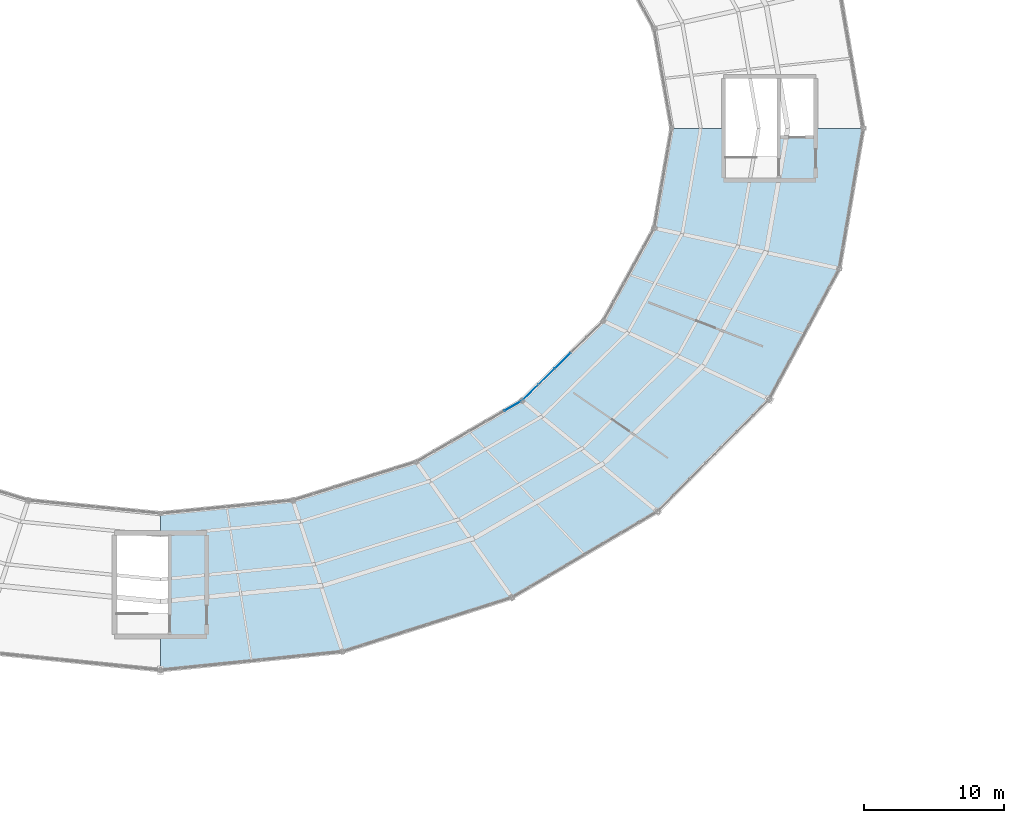
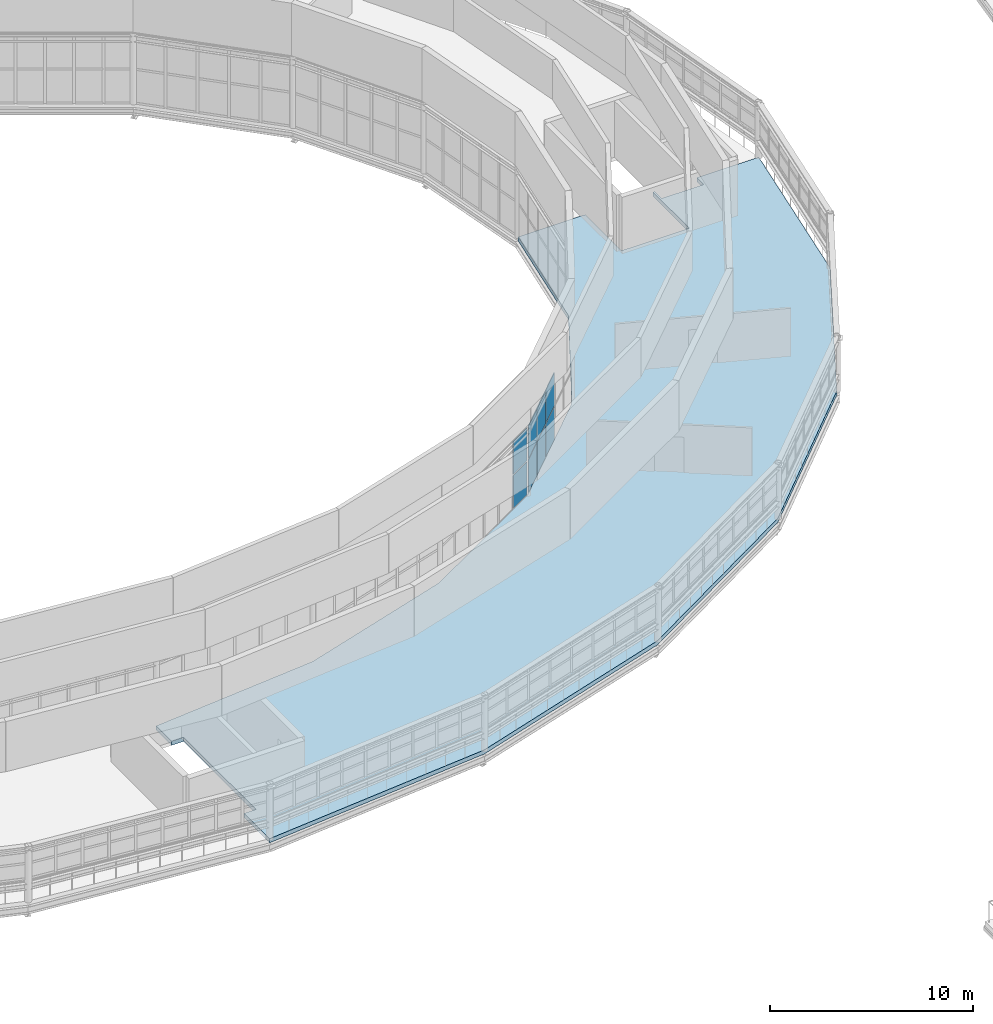
# One storey, part 82 of 123: 8 plates, 1 slab, 2 elements without a shape of their own.
"""IFC4 building model written with IfcOpenShell, lengths in metres."""

from ifc_helpers import new_model, si_unit, direction, frame, origin, origin_2d, place, context, subcontext, project, spatial, polyline, rectangle, outline, extrude, material, layer, layer_set, type_object, element, aggregate, save


model = new_model("IFC4")

# Units and contexts
model_context = context("Model", 3, precision=1e-05, world=origin(), true_north=direction((0.0, 1.0)))
body_context = subcontext(model_context, "Body", "Model", "MODEL_VIEW")
ifc_project = project(units=[si_unit("LENGTHUNIT", "METRE"), si_unit("AREAUNIT", "SQUARE_METRE"), si_unit("VOLUMEUNIT", "CUBIC_METRE"), si_unit("PLANEANGLEUNIT", "RADIAN"), si_unit("MASSUNIT", "GRAM", prefix="KILO")], contexts=[model_context])

# Site, building, storey
site_placement = place(None, origin())
site = spatial("IfcSite", under=ifc_project, at=site_placement, CompositionType="ELEMENT")
building_placement = place(site_placement, origin())
building = spatial("IfcBuilding", under=site, at=building_placement, Name="Kildeholm Park Wholesale Market", CompositionType="ELEMENT")
storey_placement = place(building_placement, frame((0.0, 0.0, 9.60009765625)))
storey = spatial("IfcBuildingStorey", under=building, at=storey_placement, Name="L02", CompositionType="ELEMENT", Elevation=9.60009765625)

# Curtain wall, plates
ifc_material_1 = material(Name="Anodised aluminium and low-E double-glazed glass", Category="aluminium")
curtain_wall_type = type_object("IfcCurtainWallType", Name="Clerestory daylight stick curtain wall CW-02", PredefinedType="NOTDEFINED", material=ifc_material_1)
curtain_wall_1_placement = place(storey_placement, origin())
curtain_wall_1 = element("IfcCurtainWall", 1, at=curtain_wall_1_placement, inside=storey, type_object=curtain_wall_type, Name="Curtain wall CW-V1-IN2-20 CW-0103", PredefinedType="NOTDEFINED")
ifc_material_2 = material(Name="Triple-glazed solar-control glass", Category="glass")
ifc_layer_1 = layer(ifc_material_2, 0.035888671875)
ifc_layer_set_1 = layer_set([ifc_layer_1], Name="Triple-glazed solar-control glass")
plate_type = type_object("IfcPlateType", Name="Curtain-wall panel CWP-2 36 mm", PredefinedType="CURTAIN_PANEL", material=ifc_layer_set_1)
plate_1_placement = place(storey_placement, frame((124.140869140625, 69.66259765625, 0.06005859375), z_axis=(0.0, 0.0, 1.0), x_axis=(0.865742656621, 0.500489412982, 0.0)))
plate_1 = element("IfcPlate", 2, at=plate_1_placement, type_object=plate_type, Name="CW-02 panel 6.1 PLT-1556", PredefinedType="CURTAIN_PANEL", context=body_context, shape_type="SweptSolid", body=[
    extrude(rectangle(XDim=1.351806640625, YDim=0.035888671875, at=origin_2d()), origin(), (0.0, 0.0, 1.0), 1.985107421875),
])
plate_2_placement = place(storey_placement, frame((124.140869140625, 69.66259765625, 2.10498046875), z_axis=(0.0, 0.0, 1.0), x_axis=(0.865742656621, 0.500489412982, 0.0)))
plate_2 = element("IfcPlate", 3, at=plate_2_placement, type_object=plate_type, Name="CW-02 panel 6.2 PLT-1557", PredefinedType="CURTAIN_PANEL", context=body_context, shape_type="SweptSolid", body=[
    extrude(rectangle(XDim=1.351806640625, YDim=0.035888671875, at=origin_2d()), origin(), (0.0, 0.0, 1.0), 1.985107421875),
])
aggregate(curtain_wall_1, [plate_1, plate_2])

curtain_wall_2_placement = place(storey_placement, origin())
curtain_wall_2 = element("IfcCurtainWall", 4, at=curtain_wall_2_placement, inside=storey, type_object=curtain_wall_type, Name="Curtain wall CW-V1-IN2-21 CW-0108", PredefinedType="NOTDEFINED")
plate_3_placement = place(storey_placement, frame((125.427978515625, 70.654296875, 0.06005859375), z_axis=(0.0, 0.0, 1.0), x_axis=(0.713537995789, 0.700616534607, 0.0)))
plate_3 = element("IfcPlate", 5, at=plate_3_placement, type_object=plate_type, Name="CW-02 panel 1.1 PLT-1610", PredefinedType="CURTAIN_PANEL", context=body_context, shape_type="SweptSolid", body=[
    extrude(rectangle(XDim=1.519775390625, YDim=0.035888671875, at=origin_2d()), origin(), (0.0, 0.0, 1.0), 1.985107421875),
])
plate_4_placement = place(storey_placement, frame((125.427978515625, 70.654296875, 2.10498046875), z_axis=(0.0, 0.0, 1.0), x_axis=(0.713537995789, 0.700616534607, 0.0)))
plate_4 = element("IfcPlate", 6, at=plate_4_placement, type_object=plate_type, Name="CW-02 panel 1.2 PLT-1611", PredefinedType="CURTAIN_PANEL", context=body_context, shape_type="SweptSolid", body=[
    extrude(rectangle(XDim=1.519775390625, YDim=0.035888671875, at=origin_2d()), origin(), (0.0, 0.0, 1.0), 1.985107421875),
])
plate_5_placement = place(storey_placement, frame((126.56591796875, 71.771728515625, 0.06005859375), z_axis=(0.0, 0.0, 1.0), x_axis=(0.713537995789, 0.700616534607, 0.0)))
plate_5 = element("IfcPlate", 7, at=plate_5_placement, type_object=plate_type, Name="CW-02 panel 2.1 PLT-1612", PredefinedType="CURTAIN_PANEL", context=body_context, shape_type="SweptSolid", body=[
    extrude(rectangle(XDim=1.5498046875, YDim=0.035888671875, at=origin_2d()), origin(), (0.0, 0.0, 1.0), 1.985107421875),
])
plate_6_placement = place(storey_placement, frame((126.56591796875, 71.771728515625, 2.10498046875), z_axis=(0.0, 0.0, 1.0), x_axis=(0.713537995789, 0.700616534607, 0.0)))
plate_6 = element("IfcPlate", 8, at=plate_6_placement, type_object=plate_type, Name="CW-02 panel 2.2 PLT-1613", PredefinedType="CURTAIN_PANEL", context=body_context, shape_type="SweptSolid", body=[
    extrude(rectangle(XDim=1.5498046875, YDim=0.035888671875, at=origin_2d()), origin(), (0.0, 0.0, 1.0), 1.985107421875),
])
plate_7_placement = place(storey_placement, frame((127.714599609375, 72.8994140625, 0.06005859375), z_axis=(0.0, 0.0, 1.0), x_axis=(0.713537995789, 0.700616534607, 0.0)))
plate_7 = element("IfcPlate", 9, at=plate_7_placement, type_object=plate_type, Name="CW-02 panel 3.1 PLT-1614", PredefinedType="CURTAIN_PANEL", context=body_context, shape_type="SweptSolid", body=[
    extrude(rectangle(XDim=1.5498046875, YDim=0.035888671875, at=origin_2d()), origin(), (0.0, 0.0, 1.0), 1.985107421875),
])
plate_8_placement = place(storey_placement, frame((127.714599609375, 72.8994140625, 2.10498046875), z_axis=(0.0, 0.0, 1.0), x_axis=(0.713537995789, 0.700616534607, 0.0)))
plate_8 = element("IfcPlate", 10, at=plate_8_placement, type_object=plate_type, Name="CW-02 panel 3.2 PLT-1615", PredefinedType="CURTAIN_PANEL", context=body_context, shape_type="SweptSolid", body=[
    extrude(rectangle(XDim=1.5498046875, YDim=0.035888671875, at=origin_2d()), origin(), (0.0, 0.0, 1.0), 1.985107421875),
])
aggregate(curtain_wall_2, [plate_3, plate_4, plate_5, plate_6, plate_7, plate_8])

# Slab
ifc_material_3 = material(Name="Concrete C35/45", Category="concrete")
ifc_layer_2 = layer(ifc_material_3, 0.25)
ifc_layer_set_2 = layer_set([ifc_layer_2], Name="Concrete C35/45")
slab_type = type_object("IfcSlabType", Name="Slab S-FL1 250 mm", PredefinedType="FLOOR", material=ifc_layer_set_2)
slab_placement = place(storey_placement, frame((0.0, 0.0, -0.25)))
element("IfcSlab", 11, at=slab_placement, inside=storey, type_object=slab_type, Name="Produce hall L02 inner ring slab quadrant 4 SLB-0012", PredefinedType="FLOOR", context=body_context, shape_type="SweptSolid", body=[
    extrude(outline(polyline([(149.199951171875, 89.5), (147.489013671875, 79.48388671875), (142.47412109375, 70.14990234375), (134.4970703125, 62.135009765625), (124.10009765625, 55.985107421875), (111.992919921875, 52.118896484375), (99.0, 50.800048828125), (99.0, 53.320068359375), (99.679931640625, 53.320068359375), (99.679931640625, 60.47998046875), (99.0, 60.47998046875), (99.0, 62.0), (108.447021484375, 62.93701171875), (117.25, 65.68408203125), (124.80908203125, 70.054931640625), (130.610107421875, 75.75), (134.256103515625, 82.382080078125), (135.5, 89.5), (139.320068359375, 89.5), (139.320068359375, 85.919921875), (143.179931640625, 85.919921875), (143.179931640625, 89.5), (143.280029296875, 89.5), (143.280029296875, 88.820068359375), (145.679931640625, 88.820068359375), (145.679931640625, 89.5), (149.199951171875, 89.5)])), origin(), (0.0, 0.0, 1.0), 0.25),
])

save(model, "model.ifc")
